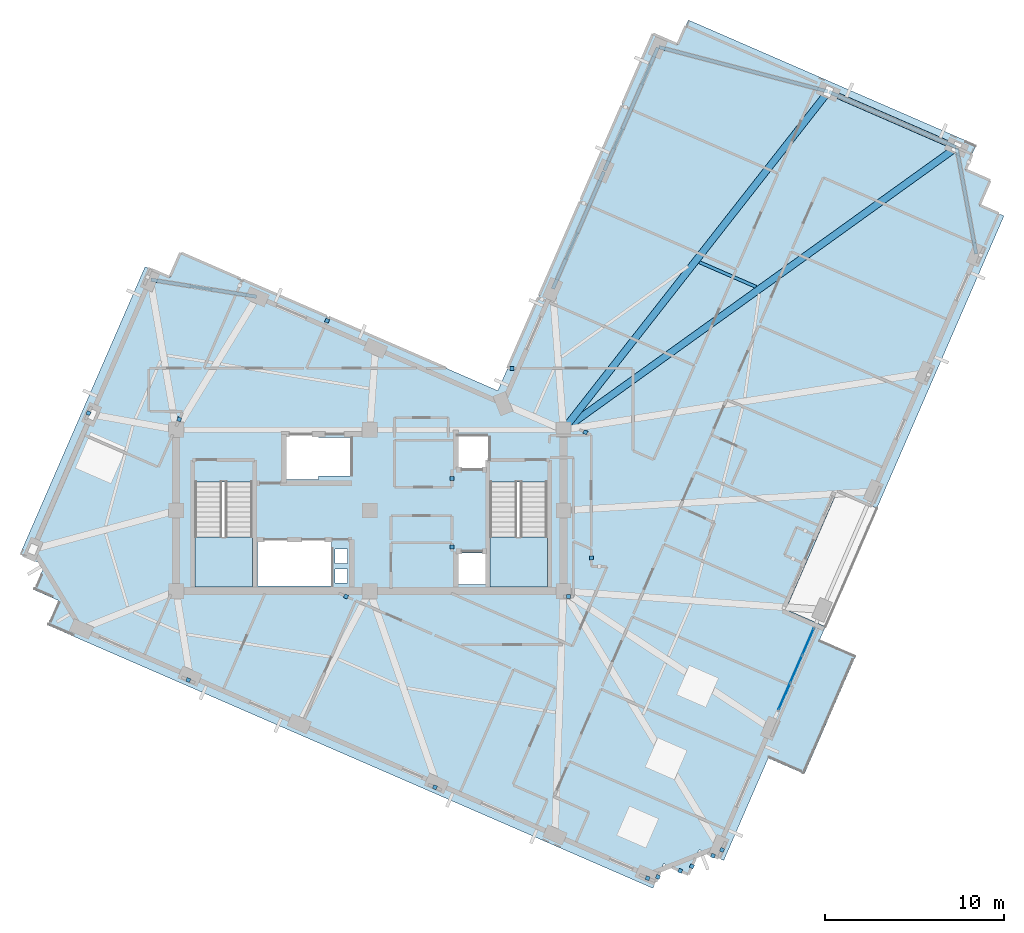
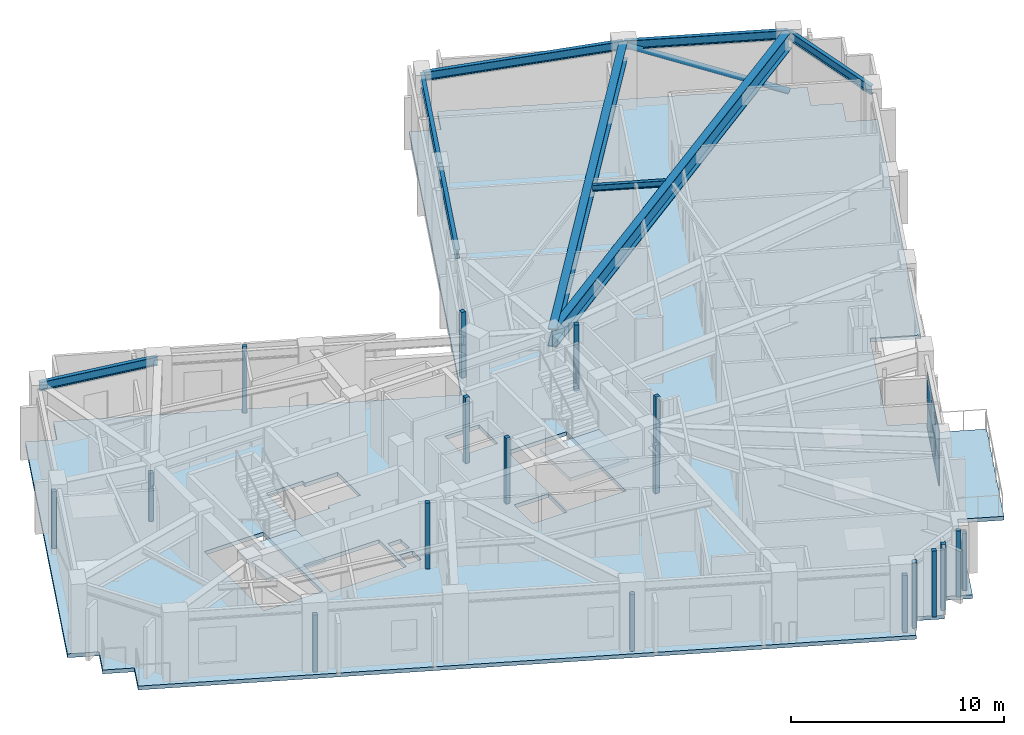
# One storey, part 3 of 12: 24 plates, 9 beams, 3 slabs, 1 member, 3 elements without a shape of their own.
"""IFC4 building model written with IfcOpenShell, lengths in metres."""

from ifc_helpers import new_model, si_unit, direction, frame, origin, origin_2d, place, context, subcontext, project, spatial, polyline, rectangle, hollow_circle, i_section, outline, extrude, material, layer, layer_set, material_profile, profile_set, type_object, element, aggregate, save


model = new_model("IFC4")

# Units and contexts
model_context = context("Model", 3, precision=1e-05, world=origin(), true_north=direction((0.0, 1.0)))
body_context = subcontext(model_context, "Body", "Model", "MODEL_VIEW")
ifc_project = project(units=[si_unit("LENGTHUNIT", "METRE"), si_unit("AREAUNIT", "SQUARE_METRE"), si_unit("VOLUMEUNIT", "CUBIC_METRE"), si_unit("PLANEANGLEUNIT", "RADIAN"), si_unit("MASSUNIT", "GRAM", prefix="KILO")], contexts=[model_context])

# Site, building, storey
site_placement = place(None, origin())
site = spatial("IfcSite", under=ifc_project, at=site_placement, CompositionType="ELEMENT")
building_placement = place(site_placement, origin())
building = spatial("IfcBuilding", under=site, at=building_placement, Name="Gaonmaruhae Medical Tower", CompositionType="ELEMENT")
storey_placement = place(building_placement, frame((0.0, 0.0, 320.60009765625)))
storey = spatial("IfcBuildingStorey", under=building, at=storey_placement, Name="L77", CompositionType="ELEMENT", Elevation=320.60009765625)

# Beams
ifc_material_1 = material(Name="Steel SM420", Category="steel")
ifc_material_profile_1 = material_profile(ifc_material_1, i_section(OverallWidth=0.39990234375, OverallDepth=1.0, WebThickness=0.02197265625, FlangeThickness=0.035888671875, at=origin_2d()), Name="BH-1000x400x22x36")
ifc_profile_set_1 = profile_set([ifc_material_profile_1], Name="Steel SM420")
beam_type_1 = type_object("IfcBeamType", Name="BG-02 Refuge Floor Primary Girder (BH-1000x400x22x36)", PredefinedType="BEAM", material=ifc_profile_set_1)
beam_1_placement = place(storey_placement, frame((35.640625, 16.8291015625, 3.27978515625), z_axis=(0.812127869731, 0.583479496818, 0.0), x_axis=(-0.583479496818, 0.812127869731, 0.0)))
element("IfcBeam", 1, at=beam_1_placement, inside=storey, type_object=beam_type_1, Name="L77 Radial Primary Girder E01", PredefinedType="BEAM", context=body_context, shape_type="SweptSolid", body=[
    extrude(i_section(OverallWidth=0.39990234375, OverallDepth=1.0, WebThickness=0.02197265625, FlangeThickness=0.035888671875, at=origin_2d()), origin(), (0.0, 0.0, 1.0), 26.89794921875),
])
beam_2_placement = place(storey_placement, frame((35.630859375, 16.83935546875, 3.27978515625), z_axis=(0.616575305367, 0.78729593725, 0.0), x_axis=(-0.78729593725, 0.616575305367, 0.0)))
element("IfcBeam", 2, at=beam_2_placement, inside=storey, type_object=beam_type_1, Name="L77 Radial Primary Girder E02", PredefinedType="BEAM", context=body_context, shape_type="SweptSolid", body=[
    extrude(i_section(OverallWidth=0.39990234375, OverallDepth=1.0, WebThickness=0.02197265625, FlangeThickness=0.035888671875, at=origin_2d()), origin(), (0.0, 0.0, 1.0), 23.859130859375),
])
ifc_material_2 = material(Name="Steel SM355", Category="steel")
ifc_material_profile_2 = material_profile(ifc_material_2, i_section(OverallWidth=0.175048828125, OverallDepth=0.35009765625, WebThickness=0.007080078125, FlangeThickness=0.010986328125, FilletRadius=0.012939453125, at=origin_2d()), Name="H-350x175x7x11")
ifc_profile_set_2 = profile_set([ifc_material_profile_2], Name="Steel SM355")
beam_type_2 = type_object("IfcBeamType", Name="FJ-02 Upper Zone Ward Floor Joist (H-350x175x7x11)", PredefinedType="JOIST", material=ifc_profile_set_2)
beam_3_placement = place(storey_placement, frame((46.34375, 24.771484375, 3.60498046875), z_axis=(-0.917037412136, 0.39880118448, 0.0), x_axis=(-0.39880118448, -0.917037412136, 0.0)))
element("IfcBeam", 3, at=beam_3_placement, inside=storey, type_object=beam_type_2, Name="L77 Secondary Floor Joist FJ06", PredefinedType="JOIST", context=body_context, shape_type="SweptSolid", body=[
    extrude(i_section(OverallWidth=0.175048828125, OverallDepth=0.35009765625, WebThickness=0.007080078125, FlangeThickness=0.010986328125, FilletRadius=0.012939453125, at=origin_2d()), origin(), (0.0, 0.0, 1.0), 3.448486328125),
])

# Member
ifc_material_profile_3 = material_profile(ifc_material_2, hollow_circle(Radius=0.1591796875, WallThickness=0.01025390625, at=origin_2d()), Name="CHS-318.5x10.3")
ifc_profile_set_3 = profile_set([ifc_material_profile_3], Name="Steel SM355")
member_type = type_object("IfcMemberType", Name="PB-03 Perimeter Solid-Bay Tube Brace Upper (CHS-318.5x10.3)", PredefinedType="BRACE", material=ifc_profile_set_3)
member_placement = place(storey_placement, frame((57.525634765625, 32.552734375, 0.25), z_axis=(-0.845363434986, 0.367570646402, 0.387624151328), x_axis=(-0.398745568807, -0.917061596272, 0.0)))
element("IfcMember", 4, at=member_placement, inside=storey, type_object=member_type, Name="L77 Perimeter Tube Solid-Bay Brace E01-E02", PredefinedType="BRACE", context=body_context, shape_type="SweptSolid", body=[
    extrude(hollow_circle(Radius=0.1591796875, WallThickness=0.01025390625, at=origin_2d()), origin(), (0.0, 0.0, 1.0), 8.461181640625),
])

# Beams
ifc_material_profile_4 = material_profile(ifc_material_2, i_section(OverallWidth=0.199951171875, OverallDepth=0.5, WebThickness=0.010009765625, FlangeThickness=0.01611328125, FilletRadius=0.012939453125, at=origin_2d()), Name="H-500x200x10x16")
ifc_profile_set_4 = profile_set([ifc_material_profile_4], Name="Steel SM355")
beam_type_3 = type_object("IfcBeamType", Name="SP-02 Upper Perimeter Spandrel Beam (H-500x200x10x16)", PredefinedType="SPANDREL", material=ifc_profile_set_4)
beam_4_placement = place(storey_placement, frame((58.622802734375, 26.60498046875, 3.52978515625), z_axis=(-0.181402379506, 0.983408957001, 0.0), x_axis=(-0.983408957001, -0.181402379506, 0.0)))
element("IfcBeam", 5, at=beam_4_placement, inside=storey, type_object=beam_type_3, Name="L77 Perimeter Spandrel Beam S06-E01", PredefinedType="SPANDREL", context=body_context, shape_type="SweptSolid", body=[
    extrude(i_section(OverallWidth=0.199951171875, OverallDepth=0.5, WebThickness=0.010009765625, FlangeThickness=0.01611328125, FilletRadius=0.012939453125, at=origin_2d()), origin(), (0.0, 0.0, 1.0), 6.0078125),
])
beam_5_placement = place(storey_placement, frame((57.489013671875, 32.568603515625, 3.52978515625), z_axis=(-0.91705648068, 0.398757333778, 0.0), x_axis=(-0.398757333778, -0.91705648068, 0.0)))
element("IfcBeam", 6, at=beam_5_placement, inside=storey, type_object=beam_type_3, Name="L77 Perimeter Spandrel Beam E01-E02", PredefinedType="SPANDREL", context=body_context, shape_type="SweptSolid", body=[
    extrude(i_section(OverallWidth=0.199951171875, OverallDepth=0.5, WebThickness=0.010009765625, FlangeThickness=0.01611328125, FilletRadius=0.012939453125, at=origin_2d()), origin(), (0.0, 0.0, 1.0), 7.719970703125),
])
beam_6_placement = place(storey_placement, frame((50.333984375, 35.673095703125, 3.52978515625), z_axis=(-0.967227039177, 0.253913084904, 0.0), x_axis=(-0.253913084904, -0.967227039177, 0.0)))
element("IfcBeam", 7, at=beam_6_placement, inside=storey, type_object=beam_type_3, Name="L77 Perimeter Spandrel Beam E02-E03", PredefinedType="SPANDREL", context=body_context, shape_type="SweptSolid", body=[
    extrude(i_section(OverallWidth=0.199951171875, OverallDepth=0.5, WebThickness=0.010009765625, FlangeThickness=0.01611328125, FilletRadius=0.012939453125, at=origin_2d()), origin(), (0.0, 0.0, 1.0), 9.7353515625),
])
beam_7_placement = place(storey_placement, frame((40.863037109375, 38.118408203125, 3.52978515625), z_axis=(-0.398738062403, -0.917064860079, 0.0), x_axis=(0.917064860079, -0.398738062403, 0.0)))
element("IfcBeam", 8, at=beam_7_placement, inside=storey, type_object=beam_type_3, Name="L77 Perimeter Spandrel Beam E03-EN01", PredefinedType="SPANDREL", context=body_context, shape_type="SweptSolid", body=[
    extrude(i_section(OverallWidth=0.199951171875, OverallDepth=0.5, WebThickness=0.010009765625, FlangeThickness=0.01611328125, FilletRadius=0.012939453125, at=origin_2d()), origin(), (0.0, 0.0, 1.0), 7.469970703125),
])
beam_8_placement = place(storey_placement, frame((37.8525390625, 31.194580078125, 3.52978515625), z_axis=(-0.398759965154, -0.917055336493, 0.0), x_axis=(0.917055336493, -0.398759965154, 0.0)))
element("IfcBeam", 9, at=beam_8_placement, inside=storey, type_object=beam_type_3, Name="L77 Perimeter Spandrel Beam EN01-EN02", PredefinedType="SPANDREL", context=body_context, shape_type="SweptSolid", body=[
    extrude(i_section(OverallWidth=0.199951171875, OverallDepth=0.5, WebThickness=0.010009765625, FlangeThickness=0.01611328125, FilletRadius=0.012939453125, at=origin_2d()), origin(), (0.0, 0.0, 1.0), 7.119873046875),
])
beam_9_placement = place(storey_placement, frame((18.4765625, 24.22265625, 3.52978515625), z_axis=(-0.987363817678, 0.158469844265, 0.0), x_axis=(-0.158469844265, -0.987363817678, 0.0)))
element("IfcBeam", 10, at=beam_9_placement, inside=storey, type_object=beam_type_3, Name="L77 Perimeter Spandrel Beam NE02-N01", PredefinedType="SPANDREL", context=body_context, shape_type="SweptSolid", body=[
    extrude(i_section(OverallWidth=0.199951171875, OverallDepth=0.5, WebThickness=0.010009765625, FlangeThickness=0.01611328125, FilletRadius=0.012939453125, at=origin_2d()), origin(), (0.0, 0.0, 1.0), 5.958984375),
])

# Curtain wall, plates
ifc_material_3 = material(Name="Anodised aluminium and Low-E double glazing", Category="aluminium")
curtain_wall_type = type_object("IfcCurtainWallType", Name="CW-S3 Spiralling Dayroom Ribbon Curtain Wall", PredefinedType="NOTDEFINED", material=ifc_material_3)
curtain_wall_placement = place(storey_placement, origin())
curtain_wall = element("IfcCurtainWall", 11, at=curtain_wall_placement, inside=storey, type_object=curtain_wall_type, Name="L77 Curtain Wall CW-L77-S02", PredefinedType="NOTDEFINED")
ifc_material_4 = material(Name="Insulated fritted spandrel glass", Category="glass")
ifc_layer_1 = layer(ifc_material_4, 0.0439453125)
ifc_layer_set_1 = layer_set([ifc_layer_1], Name="Insulated fritted spandrel glass")
plate_type_1 = type_object("IfcPlateType", Name="CWP-S1 Insulated Fritted Spandrel Panel", PredefinedType="CURTAIN_PANEL", material=ifc_layer_set_1)
plate_1_placement = place(storey_placement, frame((49.242919921875, 4.97705078125, 0.06494140625), z_axis=(0.0, 0.0, 1.0), x_axis=(-0.398731932942, -0.917067525132, 0.0)))
plate_1 = element("IfcPlate", 12, at=plate_1_placement, type_object=plate_type_1, Name="CW-S3 panel 1.1", PredefinedType="CURTAIN_PANEL", context=body_context, shape_type="SweptSolid", body=[
    extrude(rectangle(XDim=1.577392578125, YDim=0.0439453125, at=origin_2d()), origin(), (0.0, 0.0, 1.0), 1.534912109375),
])
plate_2_placement = place(storey_placement, frame((49.242919921875, 4.97705078125, 1.6650390625), z_axis=(0.0, 0.0, 1.0), x_axis=(-0.398731932942, -0.917067525132, 0.0)))
plate_2 = element("IfcPlate", 13, at=plate_2_placement, type_object=plate_type_1, Name="CW-S3 panel 1.2", PredefinedType="CURTAIN_PANEL", context=body_context, shape_type="SweptSolid", body=[
    extrude(rectangle(XDim=1.577392578125, YDim=0.0439453125, at=origin_2d()), origin(), (0.0, 0.0, 1.0), 1.534912109375),
])
plate_3_placement = place(storey_placement, frame((48.58154296875, 3.455810546875, 0.06494140625), z_axis=(0.0, 0.0, 1.0), x_axis=(-0.398731932942, -0.917067525132, 0.0)))
plate_3 = element("IfcPlate", 14, at=plate_3_placement, type_object=plate_type_1, Name="CW-S3 panel 2.1", PredefinedType="CURTAIN_PANEL", context=body_context, shape_type="SweptSolid", body=[
    extrude(rectangle(XDim=1.60986328125, YDim=0.0439453125, at=origin_2d()), origin(), (0.0, 0.0, 1.0), 1.534912109375),
])
plate_4_placement = place(storey_placement, frame((48.58154296875, 3.455810546875, 1.6650390625), z_axis=(0.0, 0.0, 1.0), x_axis=(-0.398731932942, -0.917067525132, 0.0)))
plate_4 = element("IfcPlate", 15, at=plate_4_placement, type_object=plate_type_1, Name="CW-S3 panel 2.2", PredefinedType="CURTAIN_PANEL", context=body_context, shape_type="SweptSolid", body=[
    extrude(rectangle(XDim=1.60986328125, YDim=0.0439453125, at=origin_2d()), origin(), (0.0, 0.0, 1.0), 1.534912109375),
])
plate_5_placement = place(storey_placement, frame((47.920166015625, 1.9345703125, 0.06494140625), z_axis=(0.0, 0.0, 1.0), x_axis=(-0.398731932942, -0.917067525132, 0.0)))
plate_5 = element("IfcPlate", 16, at=plate_5_placement, type_object=plate_type_1, Name="CW-S3 panel 3.1", PredefinedType="CURTAIN_PANEL", context=body_context, shape_type="SweptSolid", body=[
    extrude(rectangle(XDim=1.577392578125, YDim=0.0439453125, at=origin_2d()), origin(), (0.0, 0.0, 1.0), 1.534912109375),
])
plate_6_placement = place(storey_placement, frame((47.920166015625, 1.9345703125, 1.6650390625), z_axis=(0.0, 0.0, 1.0), x_axis=(-0.398731932942, -0.917067525132, 0.0)))
plate_6 = element("IfcPlate", 17, at=plate_6_placement, type_object=plate_type_1, Name="CW-S3 panel 3.2", PredefinedType="CURTAIN_PANEL", context=body_context, shape_type="SweptSolid", body=[
    extrude(rectangle(XDim=1.577392578125, YDim=0.0439453125, at=origin_2d()), origin(), (0.0, 0.0, 1.0), 1.534912109375),
])
aggregate(curtain_wall, [plate_1, plate_2, plate_3, plate_4, plate_5, plate_6])

# Slab
ifc_material_5 = material(Name="Concrete C40/50", Category="concrete")
ifc_layer_2 = layer(ifc_material_5, 0.219970703125)
ifc_layer_set_2 = layer_set([ifc_layer_2], Name="Concrete C40/50")
slab_type_1 = type_object("IfcSlabType", Name="FS-220 Clinical Ward Composite Floor Slab", PredefinedType="FLOOR", material=ifc_layer_set_2)
slab_1_placement = place(storey_placement, frame((0.0, 0.0, -0.22021484375)))
element("IfcSlab", 18, at=slab_1_placement, inside=storey, type_object=slab_type_1, Name="L77 Structural Slab 1", PredefinedType="FLOOR", context=body_context, shape_type="SweptSolid", body=[
    extrude(outline(polyline([(43.164794921875, -6.619873046875), (42.56640625, -7.995361328125), (41.19091796875, -7.397216796875), (40.5927734375, -8.77294921875), (6.844970703125, 5.901123046875), (7.443115234375, 7.276611328125), (6.0673828125, 7.874755859375), (6.665771484375, 9.25048828125), (5.2900390625, 9.848388671875), (12.268310546875, 25.89697265625), (13.643798828125, 25.298828125), (14.241943359375, 26.674560546875), (31.941162109375, 18.978515625), (40.593994140625, 38.87890625), (41.969482421875, 38.28076171875), (42.567626953125, 39.65625), (58.6162109375, 32.67822265625), (58.01806640625, 31.302490234375), (59.393798828125, 30.70458984375), (58.795654296875, 29.328857421875), (60.171142578125, 28.730712890625), (53.0810546875, 12.424560546875), (50.880126953125, 13.381591796875), (48.009033203125, 6.77880859375), (50.210205078125, 5.82177734375), (49.89111328125, 5.087890625), (51.90869140625, 4.210693359375), (49.03759765625, -2.39208984375), (47.02001953125, -1.514892578125), (44.540283203125, -7.218017578125), (43.164794921875, -6.619873046875)]), holes=[polyline([(23.550048828125, 8.25), (22.85009765625, 8.25), (22.85009765625, 9.050048828125), (23.550048828125, 9.050048828125), (23.550048828125, 8.25)]), polyline([(29.574951171875, 9.925048828125), (31.425048828125, 9.925048828125), (31.425048828125, 8.175048828125), (29.574951171875, 8.175048828125), (29.574951171875, 9.925048828125)]), polyline([(18.550048828125, 10.625), (22.64990234375, 10.625), (22.64990234375, 8.074951171875), (18.550048828125, 8.074951171875), (18.550048828125, 10.625)]), polyline([(23.550048828125, 9.35009765625), (22.85009765625, 9.35009765625), (22.85009765625, 10.14990234375), (23.550048828125, 10.14990234375), (23.550048828125, 9.35009765625)]), polyline([(15.050048828125, 13.889892578125), (18.25, 13.889892578125), (18.25, 8.300048828125), (15.050048828125, 8.300048828125), (15.050048828125, 13.889892578125)]), polyline([(31.5, 13.889892578125), (34.699951171875, 13.889892578125), (34.699951171875, 8.300048828125), (31.5, 8.300048828125), (31.5, 13.889892578125)]), polyline([(23.72509765625, 14.22509765625), (21.949951171875, 14.22509765625), (21.949951171875, 14.02490234375), (19.949951171875, 14.02490234375), (19.949951171875, 16.574951171875), (21.949951171875, 16.574951171875), (21.949951171875, 16.375), (23.72509765625, 16.375), (23.72509765625, 14.22509765625)]), polyline([(31.425048828125, 16.425048828125), (31.425048828125, 14.675048828125), (29.574951171875, 14.675048828125), (29.574951171875, 16.425048828125), (31.425048828125, 16.425048828125)])]), origin(), (0.0, 0.0, 1.0), 0.22021484375),
])

# Plates
ifc_material_6 = material(Name="Anodised aluminium 6063-T6", Category="aluminium")
ifc_layer_3 = layer(ifc_material_6, 0.011962890625)
ifc_layer_set_3 = layer_set([ifc_layer_3], Name="Anodised aluminium 6063-T6")
plate_type_2 = type_object("IfcPlateType", Name="PP-01 Interior Partition Corner Stiffener Plate", PredefinedType="SHEET", material=ifc_layer_set_3)
for number, where, z_axis, x_axis, name in (
    (19, (29.3798828125, 10.260009765625, 0.0), (0.0, 0.0, 1.0), (0.0, -1.0, 0.0), "L77 Partition Corner Stiffener Plate PLT-L77-JGP-PW003"),
    (20, (29.3798828125, 14.090087890625, 0.0), (0.0, 0.0, 1.0), (0.0, -1.0, 0.0), "L77 Partition Corner Stiffener Plate PLT-L77-JGP-PW009"),
):
    element("IfcPlate", number, at=place(storey_placement, frame(where, z_axis=z_axis, x_axis=x_axis)), inside=storey, type_object=plate_type_2, Name=name, PredefinedType="SHEET", context=body_context, shape_type="SweptSolid", body=[
        extrude(rectangle(XDim=0.219970703125, YDim=0.219970703125, at=origin_2d()), origin(), (0.0, 0.0, 1.0), 3.780029296875),
    ])
plate_7_placement = place(storey_placement, frame((44.446044921875, -6.633056640625, 0.0), z_axis=(0.0, 0.0, 1.0), x_axis=(-0.399245187787, -0.916844196158, 0.0)))
element("IfcPlate", 21, at=plate_7_placement, inside=storey, type_object=plate_type_2, Name="L77 Partition Corner Stiffener Plate PLT-L77-JGP-PW017", PredefinedType="SHEET", context=body_context, shape_type="SweptSolid", body=[
    extrude(rectangle(XDim=0.219970703125, YDim=0.219970703125, at=origin_2d()), origin(), (0.0, 0.0, 1.0), 3.264892578125),
])
for number, where, z_axis, x_axis, name in (
    (22, (43.94091796875, -6.95703125, 0.0), (0.0, 0.0, 1.0), (-0.917115741319, 0.398621019297, 0.0), "L77 Partition Corner Stiffener Plate PLT-L77-JGP-PW018"),
    (23, (42.763916015625, -7.54248046875, 0.0), (0.0, 0.0, 1.0), (-0.399165176517, -0.916879033383, 0.0), "L77 Partition Corner Stiffener Plate PLT-L77-JGP-PW019"),
    (24, (42.114501953125, -7.798583984375, 0.0), (0.0, 0.0, 1.0), (-0.917247878626, 0.398316870288, 0.0), "L77 Partition Corner Stiffener Plate PLT-L77-JGP-PW020"),
    (25, (40.868896484375, -8.136962890625, 0.0), (0.0, 0.0, 1.0), (-0.398845101045, -0.917018312452, 0.0), "L77 Partition Corner Stiffener Plate PLT-L77-JGP-PW021"),
):
    element("IfcPlate", number, at=place(storey_placement, frame(where, z_axis=z_axis, x_axis=x_axis)), inside=storey, type_object=plate_type_2, Name=name, PredefinedType="SHEET", context=body_context, shape_type="SweptSolid", body=[
        extrude(rectangle(XDim=0.219970703125, YDim=0.219970703125, at=origin_2d()), origin(), (0.0, 0.0, 1.0), 3.780029296875),
    ])
for number, where, z_axis, x_axis, name in (
    (26, (40.294921875, -8.20703125, 0.0), (0.0, 0.0, 1.0), (-0.916844196158, 0.399245187787, 0.0), "L77 Partition Corner Stiffener Plate PLT-L77-JGP-PW022"),
    (27, (28.431396484375, -3.136474609375, 0.0), (0.0, 0.0, 1.0), (-0.917053114761, 0.398765074582, 0.0), "L77 Partition Corner Stiffener Plate PLT-L77-JGP-PW074"),
):
    element("IfcPlate", number, at=place(storey_placement, frame(where, z_axis=z_axis, x_axis=x_axis)), inside=storey, type_object=plate_type_2, Name=name, PredefinedType="SHEET", context=body_context, shape_type="SweptSolid", body=[
        extrude(rectangle(XDim=0.219970703125, YDim=0.219970703125, at=origin_2d()), origin(), (0.0, 0.0, 1.0), 3.264892578125),
    ])
plate_8_placement = place(storey_placement, frame((23.472900390625, 7.50341796875, 0.0), z_axis=(0.0, 0.0, 1.0), x_axis=(0.916906898134, -0.399101165312, 0.0)))
element("IfcPlate", 28, at=plate_8_placement, inside=storey, type_object=plate_type_2, Name="L77 Partition Corner Stiffener Plate PLT-L77-JGP-PW080", PredefinedType="SHEET", context=body_context, shape_type="SweptSolid", body=[
    extrude(rectangle(XDim=0.219970703125, YDim=0.219970703125, at=origin_2d()), origin(), (0.0, 0.0, 1.0), 3.780029296875),
])
plate_9_placement = place(storey_placement, frame((14.675537109375, 2.844970703125, 0.0), z_axis=(0.0, 0.0, 1.0), x_axis=(-0.916586183712, 0.399837176647, 0.0)))
element("IfcPlate", 29, at=plate_9_placement, inside=storey, type_object=plate_type_2, Name="L77 Partition Corner Stiffener Plate PLT-L77-JGP-PW081", PredefinedType="SHEET", context=body_context, shape_type="SweptSolid", body=[
    extrude(rectangle(XDim=0.219970703125, YDim=0.219970703125, at=origin_2d()), origin(), (0.0, 0.0, 1.0), 3.264892578125),
])
plate_10_placement = place(storey_placement, frame((37.155517578125, 9.662109375, 0.0), z_axis=(0.0, 0.0, 1.0), x_axis=(0.011344396795, -0.99993565026, 0.0)))
element("IfcPlate", 30, at=plate_10_placement, inside=storey, type_object=plate_type_2, Name="L77 Partition Corner Stiffener Plate PLT-L77-JGP-PW084", PredefinedType="SHEET", context=body_context, shape_type="SweptSolid", body=[
    extrude(rectangle(XDim=0.219970703125, YDim=0.219970703125, at=origin_2d()), origin(), (0.0, 0.0, 1.0), 3.780029296875),
])
plate_11_placement = place(storey_placement, frame((35.875, 7.5, 0.0), z_axis=(0.0, 0.0, 1.0), x_axis=(1.0, 0.0, 0.0)))
element("IfcPlate", 31, at=plate_11_placement, inside=storey, type_object=plate_type_2, Name="L77 Partition Corner Stiffener Plate PLT-L77-JGP-PW088", PredefinedType="SHEET", context=body_context, shape_type="SweptSolid", body=[
    extrude(rectangle(XDim=0.219970703125, YDim=0.219970703125, at=origin_2d()), origin(), (0.0, 0.0, 1.0), 2.764892578125),
])
for number, where, z_axis, x_axis, name in (
    (32, (36.824951171875, 16.657470703125, 0.0), (0.0, 0.0, 1.0), (0.916865099331, -0.399197181389, 0.0), "L77 Partition Corner Stiffener Plate PLT-L77-JGP-PW092"),
    (33, (32.722412109375, 20.22998046875, 0.0), (0.0, 0.0, 1.0), (-1.0, 0.0, 0.0), "L77 Partition Corner Stiffener Plate PLT-L77-JGP-PW097"),
    (34, (22.41796875, 22.882568359375, 0.0), (0.0, 0.0, 1.0), (0.399741189774, 0.916628049537, 0.0), "L77 Partition Corner Stiffener Plate PLT-L77-JGP-PW118"),
):
    element("IfcPlate", number, at=place(storey_placement, frame(where, z_axis=z_axis, x_axis=x_axis)), inside=storey, type_object=plate_type_2, Name=name, PredefinedType="SHEET", context=body_context, shape_type="SweptSolid", body=[
        extrude(rectangle(XDim=0.219970703125, YDim=0.219970703125, at=origin_2d()), origin(), (0.0, 0.0, 1.0), 3.780029296875),
    ])
plate_12_placement = place(storey_placement, frame((14.17138671875, 17.385009765625, 0.0), z_axis=(0.0, 0.0, 1.0), x_axis=(-0.398941128791, -0.916976540463, 0.0)))
element("IfcPlate", 35, at=plate_12_placement, inside=storey, type_object=plate_type_2, Name="L77 Partition Corner Stiffener Plate PLT-L77-JGP-PW128", PredefinedType="SHEET", context=body_context, shape_type="SweptSolid", body=[
    extrude(rectangle(XDim=0.219970703125, YDim=0.219970703125, at=origin_2d()), origin(), (0.0, 0.0, 1.0), 2.764892578125),
])
plate_13_placement = place(storey_placement, frame((9.109619140625, 17.7294921875, 0.0), z_axis=(0.0, 0.0, 1.0), x_axis=(0.398765074582, 0.917053114761, 0.0)))
element("IfcPlate", 36, at=plate_13_placement, inside=storey, type_object=plate_type_2, Name="L77 Partition Corner Stiffener Plate PLT-L77-JGP-PW131", PredefinedType="SHEET", context=body_context, shape_type="SweptSolid", body=[
    extrude(rectangle(XDim=0.219970703125, YDim=0.219970703125, at=origin_2d()), origin(), (0.0, 0.0, 1.0), 3.264892578125),
])

# Stair, slab
stair_type = type_object("IfcStairType", Name="ST-T1 Primary Core Escape Dogleg Stair", PredefinedType="TWO_QUARTER_TURN_STAIR", material=ifc_material_5)
stair_1_placement = place(storey_placement, origin())
stair_1 = element("IfcStair", 37, at=stair_1_placement, inside=storey, type_object=stair_type, Name="L77 Protected Escape Stair ST-01", PredefinedType="TWO_QUARTER_TURN_STAIR")
ifc_layer_4 = layer(ifc_material_5, 0.199951171875)
ifc_layer_set_4 = layer_set([ifc_layer_4], Name="Concrete C40/50")
slab_type_2 = type_object("IfcSlabType", Name="SL-200 Stair & Ramp Intermediate Concrete Landing", PredefinedType="LANDING", material=ifc_layer_set_4)
slab_2_placement = place(storey_placement, frame((0.0, 0.0, 1.7998046875)))
slab_2 = element("IfcSlab", 38, at=slab_2_placement, type_object=slab_type_2, Name="ST-01 landing 1", PredefinedType="LANDING", context=body_context, shape_type="SweptSolid", body=[
    extrude(outline(polyline([(15.050048828125, 10.820068359375), (15.050048828125, 8.029052734375), (18.25, 8.029052734375), (18.25, 10.820068359375), (15.050048828125, 10.820068359375)])), origin(), (0.0, 0.0, 1.0), 0.2001953125),
])
aggregate(stair_1, [slab_2])

stair_2_placement = place(storey_placement, origin())
stair_2 = element("IfcStair", 39, at=stair_2_placement, inside=storey, type_object=stair_type, Name="L77 Protected Escape Stair ST-02", PredefinedType="TWO_QUARTER_TURN_STAIR")
slab_3_placement = place(storey_placement, frame((0.0, 0.0, 1.7998046875)))
slab_3 = element("IfcSlab", 40, at=slab_3_placement, type_object=slab_type_2, Name="ST-02 landing 1", PredefinedType="LANDING", context=body_context, shape_type="SweptSolid", body=[
    extrude(outline(polyline([(31.5, 10.820068359375), (31.5, 8.029052734375), (34.699951171875, 8.029052734375), (34.699951171875, 10.820068359375), (31.5, 10.820068359375)])), origin(), (0.0, 0.0, 1.0), 0.2001953125),
])
aggregate(stair_2, [slab_3])

save(model, "model.ifc")
